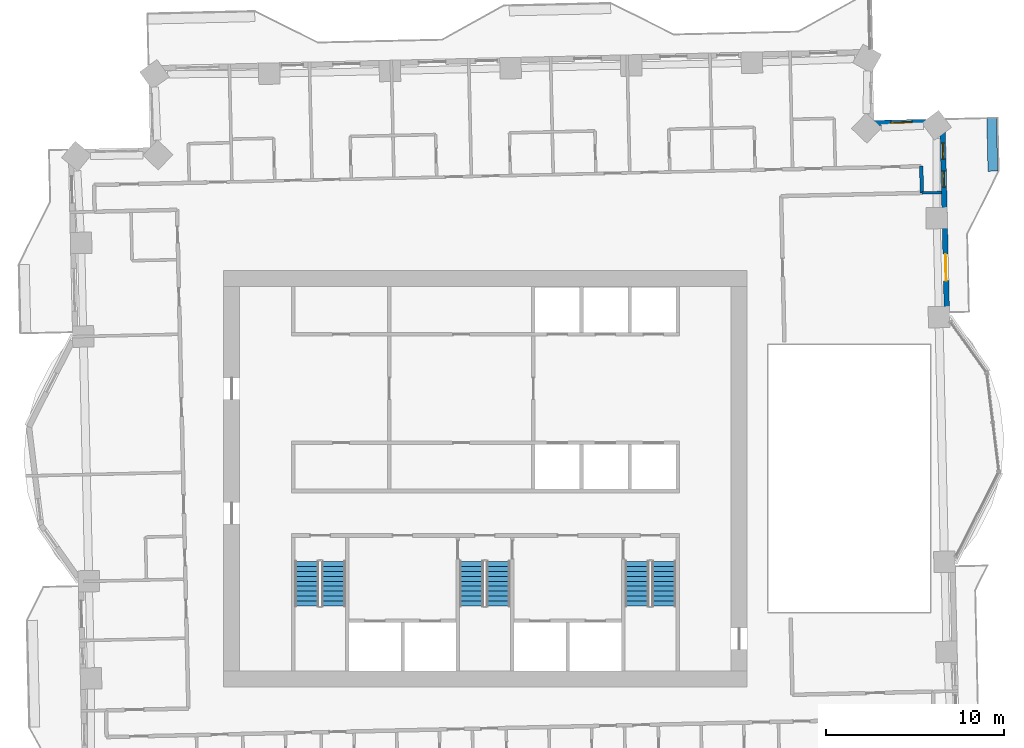
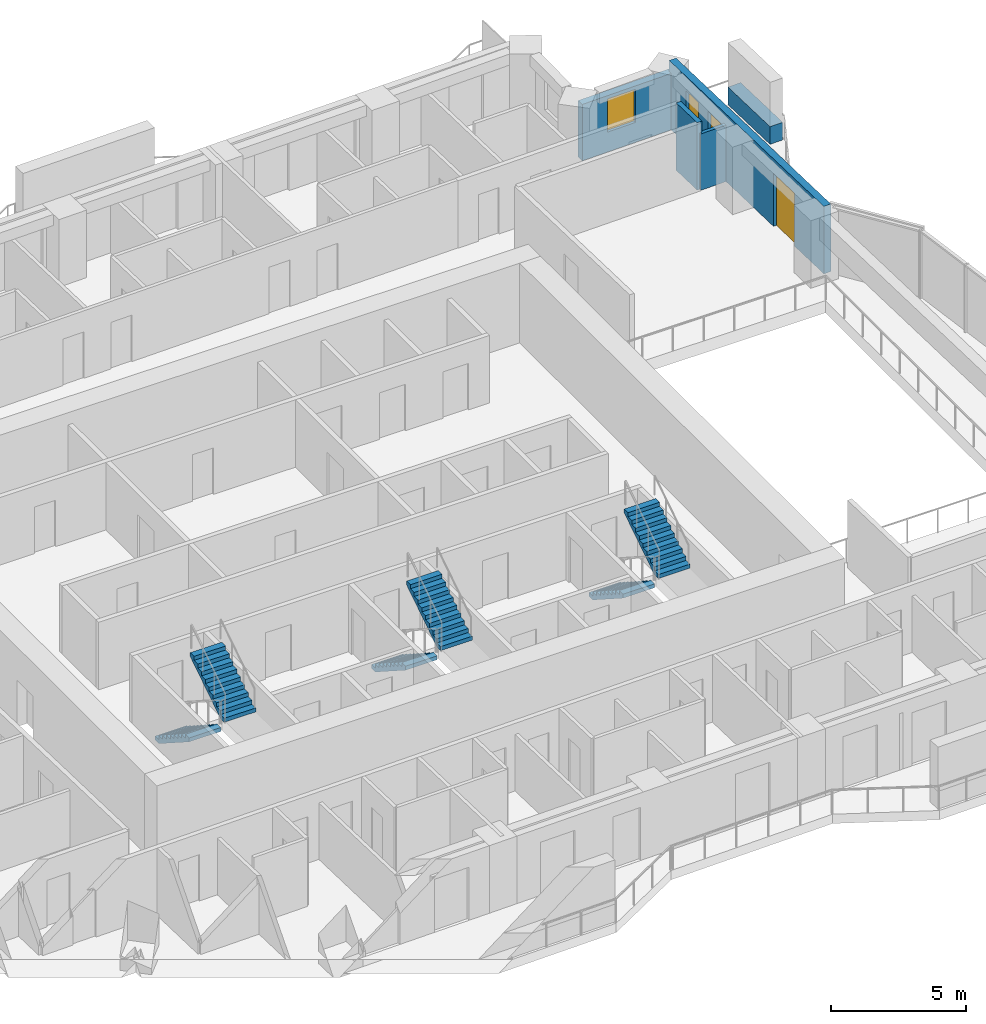
# One storey, part 10 of 14: 6 stair flights, 5 walls, 3 windows, 1 door, 4 openings, 3 elements without a shape of their own.
"""IFC4 building model written with IfcOpenShell, lengths in metres."""

from ifc_helpers import new_model, si_unit, direction, frame, frame_2d, origin, place, context, subcontext, project, spatial, polyline, rectangle, outline, extrude, material, layer, layer_set, type_object, element, fill, aggregate, save


model = new_model("IFC4")

# Units and contexts
model_context = context("Model", 3, precision=1e-05, world=origin(), true_north=direction((0.0, 1.0)))
body_context = subcontext(model_context, "Body", "Model", "MODEL_VIEW")
ifc_project = project(units=[si_unit("LENGTHUNIT", "METRE"), si_unit("AREAUNIT", "SQUARE_METRE"), si_unit("VOLUMEUNIT", "CUBIC_METRE"), si_unit("PLANEANGLEUNIT", "RADIAN"), si_unit("MASSUNIT", "GRAM", prefix="KILO")], contexts=[model_context])

# Site, building, storey
site_placement = place(None, origin())
site = spatial("IfcSite", under=ifc_project, at=site_placement, CompositionType="ELEMENT")
building_placement = place(site_placement, origin())
building = spatial("IfcBuilding", under=site, at=building_placement, Name="Mangrove Gate Tower", CompositionType="ELEMENT")
storey_placement = place(building_placement, frame((0.0, 0.0, 182.5)))
storey = spatial("IfcBuildingStorey", under=building, at=storey_placement, Name="L46", CompositionType="ELEMENT", Elevation=182.5)

# Wall
ifc_material_1 = material(Name="Gypsum board on steel stud, EI 60", Category="steel")
ifc_layer_1 = layer(ifc_material_1, 0.199951171875)
ifc_layer_set_1 = layer_set([ifc_layer_1], Name="Corridor wall EI 60")
wall_type_1 = type_object("IfcWallType", Name="Corridor wall EI 60", PredefinedType="PARTITIONING", material=ifc_layer_set_1)
wall_1_placement = place(storey_placement, frame((24.51904296875, 16.048095703125, 0.0), z_axis=(0.0, 0.0, 1.0), x_axis=(-0.022632637625, 0.99974384905, 0.0)))
element("IfcWall", 1, at=wall_1_placement, inside=storey, type_object=wall_type_1, Name="WALL-L46-047", PredefinedType="PARTITIONING", context=body_context, shape_type="SweptSolid", body=[
    extrude(rectangle(XDim=1.49951171875, YDim=0.199951171875, at=frame_2d((0.749755859375, 0.0))), origin(), (0.0, 0.0, 1.0), 3.050048828125),
])

# Wall, openings, door, windows
ifc_material_2 = material(Name="Limestone", Category="masonry")
ifc_layer_2 = layer(ifc_material_2, 0.0400390625, Name="Limestone cladding")
ifc_material_3 = material(Name="Ventilated air gap")
ifc_layer_3 = layer(ifc_material_3, 0.0400390625, Name="Ventilated cavity")
ifc_material_4 = material(Name="Mineral wool insulation")
ifc_layer_4 = layer(ifc_material_4, 0.06005859375, Name="Insulation")
ifc_material_5 = material(Name="Breather membrane")
ifc_layer_5 = layer(ifc_material_5, 0.001953125, Name="Breather membrane")
ifc_material_6 = material(Name="Concrete C20/25 blockwork", Category="masonry")
ifc_layer_6 = layer(ifc_material_6, 0.14990234375, Name="Blockwork backing wall")
ifc_material_7 = material(Name="Gypsum plaster")
ifc_layer_7 = layer(ifc_material_7, 0.008056640625, Name="Internal plaster")
ifc_layer_set_2 = layer_set([ifc_layer_2, ifc_layer_3, ifc_layer_4, ifc_layer_5, ifc_layer_6, ifc_layer_7], Name="External wall 300 limestone cladding")
wall_type_2 = type_object("IfcWallType", Name="External wall 300 limestone cladding", PredefinedType="SOLIDWALL", material=ifc_layer_set_2)
wall_2_placement = place(storey_placement, frame((25.928955078125, 9.02490234375, 0.0), z_axis=(0.0, 0.0, 1.0), x_axis=(-0.022667601583, 0.999743056909, 0.0)))
wall_2 = element("IfcWall", 2, at=wall_2_placement, inside=storey, type_object=wall_type_2, Name="WALL-L46-E2", PredefinedType="SOLIDWALL", context=body_context, shape_type="SweptSolid", body=[
    extrude(rectangle(XDim=11.029052734375, YDim=0.300048828125, at=frame_2d((5.5146484375, 0.0))), origin(), (0.0, 0.0, 1.0), 3.050048828125),
])
opening_1_placement = place(wall_2_placement, frame((2.0859375, 0.0, 0.0)))
opening_1 = element("IfcOpeningElement", 3, at=opening_1_placement, cuts=wall_2, Name="Opening BD1", PredefinedType="OPENING", context=body_context, shape_type="SweptSolid", body=[
    extrude(rectangle(XDim=1.5, YDim=2.39990234375, at=frame_2d((0.75, 1.199951171875))), frame((0.0, 0.159912109375, 0.0), z_axis=(0.0, -1.0, 0.0), x_axis=(1.0, 0.0, 0.0)), (0.0, 0.0, 1.0), 0.320068359375),
])
opening_2_placement = place(wall_2_placement, frame((7.35302734375, 0.0, 0.89990234375)))
opening_2 = element("IfcOpeningElement", 4, at=opening_2_placement, cuts=wall_2, Name="Opening W5", PredefinedType="OPENING", context=body_context, shape_type="SweptSolid", body=[
    extrude(rectangle(XDim=0.89990234375, YDim=1.5, at=frame_2d((0.449951171875, 0.75))), frame((0.0, 0.159912109375, 0.0), z_axis=(0.0, -1.0, 0.0), x_axis=(1.0, 0.0, 0.0)), (0.0, 0.0, 1.0), 0.320068359375),
])
opening_3_placement = place(wall_2_placement, frame((8.922119140625, 0.0, 0.89990234375)))
opening_3 = element("IfcOpeningElement", 5, at=opening_3_placement, cuts=wall_2, Name="Opening W5", PredefinedType="OPENING", context=body_context, shape_type="SweptSolid", body=[
    extrude(rectangle(XDim=0.89990234375, YDim=1.5, at=frame_2d((0.449951171875, 0.75))), frame((0.0, 0.159912109375, 0.0), z_axis=(0.0, -1.0, 0.0), x_axis=(1.0, 0.0, 0.0)), (0.0, 0.0, 1.0), 0.320068359375),
])
ifc_material_8 = material(Name="Aluminium frame with laminated clear glass", Category="aluminium")
door_type = type_object("IfcDoorType", Name="Balcony sliding door 1500x2400", OperationType="SLIDING_TO_LEFT", PredefinedType="DOOR", material=ifc_material_8)
door_placement = place(opening_1_placement, origin())
door = element("IfcDoor", 6, at=door_placement, inside=storey, type_object=door_type, Name="DOOR-L46-E2-1", OperationType="SLIDING_TO_LEFT", OverallHeight=2.39990234375, OverallWidth=1.5, PredefinedType="DOOR", context=body_context, shape_type="SweptSolid", body=[
    extrude(rectangle(XDim=1.5, YDim=2.39990234375, at=frame_2d((0.75, 1.199951171875))), frame((0.0, 0.02490234375, 0.0), z_axis=(0.0, -1.0, 0.0), x_axis=(1.0, 0.0, 0.0)), (0.0, 0.0, 1.0), 0.050048828125),
])
fill(opening_1, door)
ifc_material_9 = material(Name="Aluminium frame with double-glazed low-e glass", Category="aluminium")
window_type_1 = type_object("IfcWindowType", Name="Narrow window 900x1500", PartitioningType="SINGLE_PANEL", PredefinedType="WINDOW", material=ifc_material_9)
window_1_placement = place(opening_2_placement, origin())
window_1 = element("IfcWindow", 7, at=window_1_placement, inside=storey, type_object=window_type_1, Name="WIN-L46-E2-2", OverallHeight=1.5, OverallWidth=0.89990234375, PartitioningType="SINGLE_PANEL", PredefinedType="WINDOW", context=body_context, shape_type="SweptSolid", body=[
    extrude(rectangle(XDim=0.89990234375, YDim=1.5, at=frame_2d((0.449951171875, 0.75))), frame((0.0, 0.030029296875, 0.0), z_axis=(0.0, -1.0, 0.0), x_axis=(1.0, 0.0, 0.0)), (0.0, 0.0, 1.0), 0.06005859375),
])
fill(opening_2, window_1)
window_2_placement = place(opening_3_placement, origin())
window_2 = element("IfcWindow", 8, at=window_2_placement, inside=storey, type_object=window_type_1, Name="WIN-L46-E2-3", OverallHeight=1.5, OverallWidth=0.89990234375, PartitioningType="SINGLE_PANEL", PredefinedType="WINDOW", context=body_context, shape_type="SweptSolid", body=[
    extrude(rectangle(XDim=0.89990234375, YDim=1.5, at=frame_2d((0.449951171875, 0.75))), frame((0.0, 0.030029296875, 0.0), z_axis=(0.0, -1.0, 0.0), x_axis=(1.0, 0.0, 0.0)), (0.0, 0.0, 1.0), 0.06005859375),
])
fill(opening_3, window_2)

# Wall, opening, window
wall_3_placement = place(storey_placement, frame((25.678955078125, 20.051025390625, 0.0), z_axis=(0.0, 0.0, 1.0), x_axis=(-0.999740826251, -0.022765770952, 0.0)))
wall_3 = element("IfcWall", 9, at=wall_3_placement, inside=storey, type_object=wall_type_2, Name="WALL-L46-N3", PredefinedType="SOLIDWALL", context=body_context, shape_type="SweptSolid", body=[
    extrude(rectangle(XDim=4.0, YDim=0.300048828125, at=frame_2d((2.0, 0.0))), origin(), (0.0, 0.0, 1.0), 2.550048828125),
])
opening_4_placement = place(wall_3_placement, frame((1.699951171875, 0.0, 0.89990234375)))
opening_4 = element("IfcOpeningElement", 10, at=opening_4_placement, cuts=wall_3, Name="Opening W1", PredefinedType="OPENING", context=body_context, shape_type="SweptSolid", body=[
    extrude(rectangle(XDim=1.199951171875, YDim=1.5, at=frame_2d((0.60009765625, 0.75))), frame((0.0, 0.159912109375, 0.0), z_axis=(0.0, -1.0, 0.0), x_axis=(1.0, 0.0, 0.0)), (0.0, 0.0, 1.0), 0.320068359375),
])
ifc_material_10 = material(Name="Aluminium frame with double-glazed low-e glass", Category="aluminium")
window_type_2 = type_object("IfcWindowType", Name="Side lite 1200x1500", PartitioningType="SINGLE_PANEL", PredefinedType="WINDOW", material=ifc_material_10)
window_3_placement = place(opening_4_placement, origin())
window_3 = element("IfcWindow", 11, at=window_3_placement, inside=storey, type_object=window_type_2, Name="WIN-L46-N3-1", OverallHeight=1.5, OverallWidth=1.199951171875, PartitioningType="SINGLE_PANEL", PredefinedType="WINDOW", context=body_context, shape_type="SweptSolid", body=[
    extrude(rectangle(XDim=1.199951171875, YDim=1.5, at=frame_2d((0.60009765625, 0.75))), frame((0.0, 0.030029296875, 0.0), z_axis=(0.0, -1.0, 0.0), x_axis=(1.0, 0.0, 0.0)), (0.0, 0.0, 1.0), 0.06005859375),
])
fill(opening_4, window_3)

# Walls
ifc_material_11 = material(Name="Gypsum board on steel stud, EI 60", Category="steel")
ifc_layer_8 = layer(ifc_material_11, 0.14990234375)
ifc_layer_set_3 = layer_set([ifc_layer_8], Name="Party wall 150 EI 60")
wall_type_3 = type_object("IfcWallType", Name="Party wall 150 EI 60", PredefinedType="PARTITIONING", material=ifc_layer_set_3)
wall_4_placement = place(storey_placement, frame((24.51904296875, 16.0439453125, 0.0), z_axis=(0.0, 0.0, 1.0), x_axis=(0.999738732953, 0.022857511541, 0.0)))
element("IfcWall", 12, at=wall_4_placement, inside=storey, type_object=wall_type_3, Name="WALL-L46-045", PredefinedType="PARTITIONING", context=body_context, shape_type="SweptSolid", body=[
    extrude(rectangle(XDim=1.10009765625, YDim=0.14990234375, at=frame_2d((0.550048828125, 0.0))), origin(), (0.0, 0.0, 1.0), 2.550048828125),
])
ifc_material_12 = material(Name="Concrete C32/40", Category="concrete")
ifc_layer_9 = layer(ifc_material_12, 0.199951171875, Name="Planter trough wall")
ifc_material_13 = material(Name="Bituminous waterproofing membrane")
ifc_layer_10 = layer(ifc_material_13, 0.0048828125, Name="Waterproofing")
ifc_material_14 = material(Name="Drainage board and gravel")
ifc_layer_11 = layer(ifc_material_14, 0.044921875, Name="Drainage layer")
ifc_material_15 = material(Name="Planting soil")
ifc_layer_12 = layer(ifc_material_15, 0.300048828125, Name="Growing medium")
ifc_layer_set_4 = layer_set([ifc_layer_9, ifc_layer_10, ifc_layer_11, ifc_layer_12], Name="Planter wall 550 C32/40")
wall_type_4 = type_object("IfcWallType", Name="Planter wall 550 C32/40", PredefinedType="USERDEFINED", material=ifc_layer_set_4)
wall_5_placement = place(storey_placement, frame((28.508056640625, 17.264892578125, 0.0), z_axis=(0.0, 0.0, 1.0), x_axis=(-0.022706615587, 0.999742171567, 0.0)))
element("IfcWall", 13, at=wall_5_placement, inside=storey, type_object=wall_type_4, Name="PLANTER L46 E1.1", ObjectType="PLANTER", PredefinedType="USERDEFINED", context=body_context, shape_type="SweptSolid", body=[
    extrude(rectangle(XDim=2.999755859375, YDim=0.550048828125, at=frame_2d((1.5, 0.0))), origin(), (0.0, 0.0, 1.0), 0.800048828125),
])

# Stair, stair flights
ifc_material_16 = material(Name="Concrete C40/50", Category="concrete")
stair_type = type_object("IfcStairType", Name="Core stair 1350", PredefinedType="HALF_TURN_STAIR", material=ifc_material_16)
stair_1_placement = place(storey_placement, origin())
stair_1 = element("IfcStair", 14, at=stair_1_placement, inside=storey, type_object=stair_type, Name="L46 Stair 1", PredefinedType="HALF_TURN_STAIR")
ifc_material_17 = material(Name="Concrete C40/50", Category="concrete")
stair_flight_type = type_object("IfcStairFlightType", Name="Core stair flight 1350", PredefinedType="STRAIGHT", material=ifc_material_17)
stair_flight_1_placement = place(storey_placement, frame((-10.02490234375, -4.64990234375, 0.0), z_axis=(0.0, 0.0, 1.0), x_axis=(0.0, -1.0, 0.0)))
stair_flight_1 = element("IfcStairFlight", 15, at=stair_flight_1_placement, type_object=stair_flight_type, Name="ST1 flight 1", NumberOfRisers=10, NumberOfTreads=9, PredefinedType="STRAIGHT", RiserHeight=0.18, TreadLength=0.28, context=body_context, shape_type="SweptSolid", body=[
    extrude(outline(polyline([(0.0, 0.0), (0.0, 0.179931640625), (0.280029296875, 0.179931640625), (0.280029296875, 0.360107421875), (0.56005859375, 0.360107421875), (0.56005859375, 0.5400390625), (0.840087890625, 0.5400390625), (0.840087890625, 0.719970703125), (1.1201171875, 0.719970703125), (1.1201171875, 0.89990234375), (1.39990234375, 0.89990234375), (1.39990234375, 1.080078125), (1.679931640625, 1.080078125), (1.679931640625, 1.260009765625), (1.9599609375, 1.260009765625), (1.9599609375, 1.43994140625), (2.239990234375, 1.43994140625), (2.239990234375, 1.6201171875), (2.52001953125, 1.6201171875), (2.52001953125, 1.800048828125), (2.52001953125, 1.44189453125), (0.277099609375, 0.0), (0.0, 0.0)])), frame((0.0, 0.675048828125, 0.0), z_axis=(0.0, -1.0, 0.0), x_axis=(1.0, 0.0, 0.0)), (0.0, 0.0, 1.0), 1.35009765625),
])
stair_flight_2_placement = place(storey_placement, frame((-8.52490234375, -7.169921875, 1.800048828125), z_axis=(0.0, 0.0, 1.0), x_axis=(0.0, 1.0, 0.0)))
stair_flight_2 = element("IfcStairFlight", 16, at=stair_flight_2_placement, type_object=stair_flight_type, Name="ST1 flight 2", NumberOfRisers=10, NumberOfTreads=9, PredefinedType="STRAIGHT", RiserHeight=0.18, TreadLength=0.28, context=body_context, shape_type="SweptSolid", body=[
    extrude(outline(polyline([(0.0, 0.0), (0.0, 0.179931640625), (0.280029296875, 0.179931640625), (0.280029296875, 0.360107421875), (0.56005859375, 0.360107421875), (0.56005859375, 0.5400390625), (0.840087890625, 0.5400390625), (0.840087890625, 0.719970703125), (1.1201171875, 0.719970703125), (1.1201171875, 0.89990234375), (1.39990234375, 0.89990234375), (1.39990234375, 1.080078125), (1.679931640625, 1.080078125), (1.679931640625, 1.260009765625), (1.9599609375, 1.260009765625), (1.9599609375, 1.43994140625), (2.239990234375, 1.43994140625), (2.239990234375, 1.6201171875), (2.52001953125, 1.6201171875), (2.52001953125, 1.800048828125), (2.52001953125, 1.44189453125), (0.277099609375, 0.0), (0.0, 0.0)])), frame((0.0, 0.675048828125, 0.0), z_axis=(0.0, -1.0, 0.0), x_axis=(1.0, 0.0, 0.0)), (0.0, 0.0, 1.0), 1.35009765625),
])
aggregate(stair_1, [stair_flight_1, stair_flight_2])

stair_2_placement = place(storey_placement, origin())
stair_2 = element("IfcStair", 17, at=stair_2_placement, inside=storey, type_object=stair_type, Name="L46 Stair 2", PredefinedType="HALF_TURN_STAIR")
stair_flight_3_placement = place(storey_placement, frame((-0.77490234375, -4.64990234375, 0.0), z_axis=(0.0, 0.0, 1.0), x_axis=(0.0, -1.0, 0.0)))
stair_flight_3 = element("IfcStairFlight", 18, at=stair_flight_3_placement, type_object=stair_flight_type, Name="ST2 flight 1", NumberOfRisers=10, NumberOfTreads=9, PredefinedType="STRAIGHT", RiserHeight=0.18, TreadLength=0.28, context=body_context, shape_type="SweptSolid", body=[
    extrude(outline(polyline([(0.0, 0.0), (0.0, 0.179931640625), (0.280029296875, 0.179931640625), (0.280029296875, 0.360107421875), (0.56005859375, 0.360107421875), (0.56005859375, 0.5400390625), (0.840087890625, 0.5400390625), (0.840087890625, 0.719970703125), (1.1201171875, 0.719970703125), (1.1201171875, 0.89990234375), (1.39990234375, 0.89990234375), (1.39990234375, 1.080078125), (1.679931640625, 1.080078125), (1.679931640625, 1.260009765625), (1.9599609375, 1.260009765625), (1.9599609375, 1.43994140625), (2.239990234375, 1.43994140625), (2.239990234375, 1.6201171875), (2.52001953125, 1.6201171875), (2.52001953125, 1.800048828125), (2.52001953125, 1.44189453125), (0.277099609375, 0.0), (0.0, 0.0)])), frame((0.0, 0.675048828125, 0.0), z_axis=(0.0, -1.0, 0.0), x_axis=(1.0, 0.0, 0.0)), (0.0, 0.0, 1.0), 1.35009765625),
])
stair_flight_4_placement = place(storey_placement, frame((0.72509765625, -7.169921875, 1.800048828125), z_axis=(0.0, 0.0, 1.0), x_axis=(0.0, 1.0, 0.0)))
stair_flight_4 = element("IfcStairFlight", 19, at=stair_flight_4_placement, type_object=stair_flight_type, Name="ST2 flight 2", NumberOfRisers=10, NumberOfTreads=9, PredefinedType="STRAIGHT", RiserHeight=0.18, TreadLength=0.28, context=body_context, shape_type="SweptSolid", body=[
    extrude(outline(polyline([(0.0, 0.0), (0.0, 0.179931640625), (0.280029296875, 0.179931640625), (0.280029296875, 0.360107421875), (0.56005859375, 0.360107421875), (0.56005859375, 0.5400390625), (0.840087890625, 0.5400390625), (0.840087890625, 0.719970703125), (1.1201171875, 0.719970703125), (1.1201171875, 0.89990234375), (1.39990234375, 0.89990234375), (1.39990234375, 1.080078125), (1.679931640625, 1.080078125), (1.679931640625, 1.260009765625), (1.9599609375, 1.260009765625), (1.9599609375, 1.43994140625), (2.239990234375, 1.43994140625), (2.239990234375, 1.6201171875), (2.52001953125, 1.6201171875), (2.52001953125, 1.800048828125), (2.52001953125, 1.44189453125), (0.277099609375, 0.0), (0.0, 0.0)])), frame((0.0, 0.675048828125, 0.0), z_axis=(0.0, -1.0, 0.0), x_axis=(1.0, 0.0, 0.0)), (0.0, 0.0, 1.0), 1.35009765625),
])
aggregate(stair_2, [stair_flight_3, stair_flight_4])

stair_3_placement = place(storey_placement, origin())
stair_3 = element("IfcStair", 20, at=stair_3_placement, inside=storey, type_object=stair_type, Name="L46 Stair 3", PredefinedType="HALF_TURN_STAIR")
stair_flight_5_placement = place(storey_placement, frame((8.52490234375, -4.64990234375, 0.0), z_axis=(0.0, 0.0, 1.0), x_axis=(0.0, -1.0, 0.0)))
stair_flight_5 = element("IfcStairFlight", 21, at=stair_flight_5_placement, type_object=stair_flight_type, Name="ST3 flight 1", NumberOfRisers=10, NumberOfTreads=9, PredefinedType="STRAIGHT", RiserHeight=0.18, TreadLength=0.28, context=body_context, shape_type="SweptSolid", body=[
    extrude(outline(polyline([(0.0, 0.0), (0.0, 0.179931640625), (0.280029296875, 0.179931640625), (0.280029296875, 0.360107421875), (0.56005859375, 0.360107421875), (0.56005859375, 0.5400390625), (0.840087890625, 0.5400390625), (0.840087890625, 0.719970703125), (1.1201171875, 0.719970703125), (1.1201171875, 0.89990234375), (1.39990234375, 0.89990234375), (1.39990234375, 1.080078125), (1.679931640625, 1.080078125), (1.679931640625, 1.260009765625), (1.9599609375, 1.260009765625), (1.9599609375, 1.43994140625), (2.239990234375, 1.43994140625), (2.239990234375, 1.6201171875), (2.52001953125, 1.6201171875), (2.52001953125, 1.800048828125), (2.52001953125, 1.44189453125), (0.277099609375, 0.0), (0.0, 0.0)])), frame((0.0, 0.675048828125, 0.0), z_axis=(0.0, -1.0, 0.0), x_axis=(1.0, 0.0, 0.0)), (0.0, 0.0, 1.0), 1.35009765625),
])
stair_flight_6_placement = place(storey_placement, frame((10.02490234375, -7.169921875, 1.800048828125), z_axis=(0.0, 0.0, 1.0), x_axis=(0.0, 1.0, 0.0)))
stair_flight_6 = element("IfcStairFlight", 22, at=stair_flight_6_placement, type_object=stair_flight_type, Name="ST3 flight 2", NumberOfRisers=10, NumberOfTreads=9, PredefinedType="STRAIGHT", RiserHeight=0.18, TreadLength=0.28, context=body_context, shape_type="SweptSolid", body=[
    extrude(outline(polyline([(0.0, 0.0), (0.0, 0.179931640625), (0.280029296875, 0.179931640625), (0.280029296875, 0.360107421875), (0.56005859375, 0.360107421875), (0.56005859375, 0.5400390625), (0.840087890625, 0.5400390625), (0.840087890625, 0.719970703125), (1.1201171875, 0.719970703125), (1.1201171875, 0.89990234375), (1.39990234375, 0.89990234375), (1.39990234375, 1.080078125), (1.679931640625, 1.080078125), (1.679931640625, 1.260009765625), (1.9599609375, 1.260009765625), (1.9599609375, 1.43994140625), (2.239990234375, 1.43994140625), (2.239990234375, 1.6201171875), (2.52001953125, 1.6201171875), (2.52001953125, 1.800048828125), (2.52001953125, 1.44189453125), (0.277099609375, 0.0), (0.0, 0.0)])), frame((0.0, 0.675048828125, 0.0), z_axis=(0.0, -1.0, 0.0), x_axis=(1.0, 0.0, 0.0)), (0.0, 0.0, 1.0), 1.35009765625),
])
aggregate(stair_3, [stair_flight_5, stair_flight_6])

save(model, "model.ifc")
